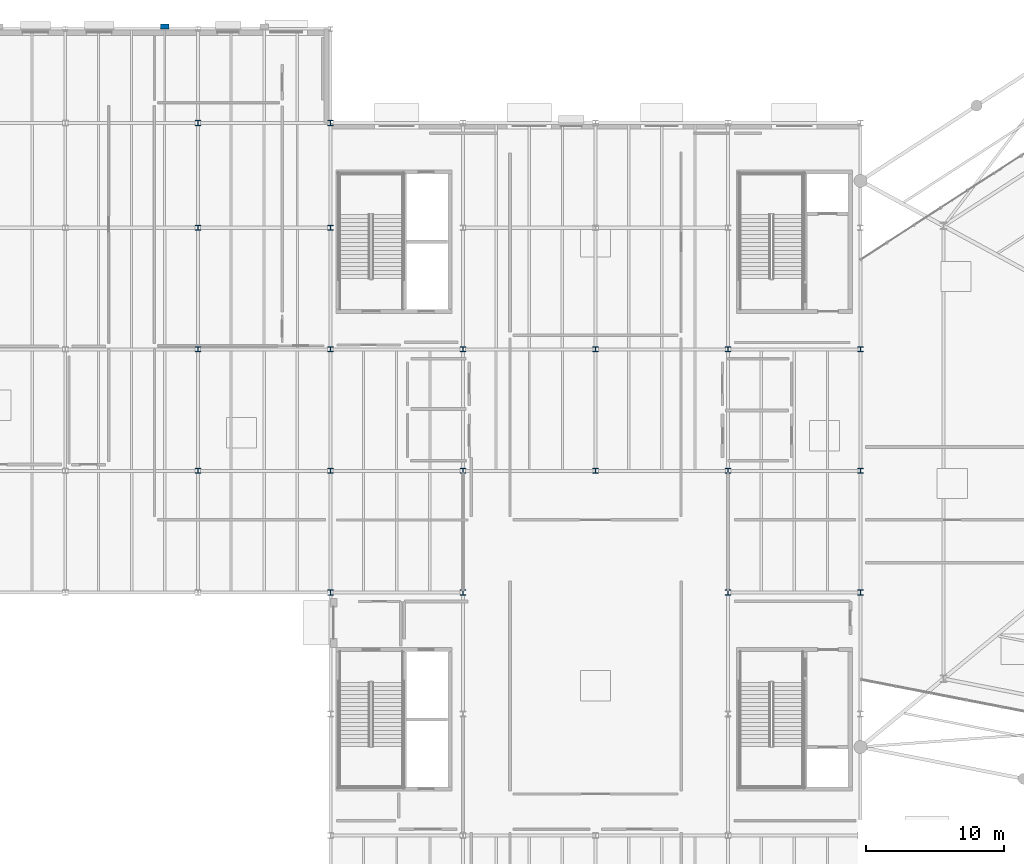
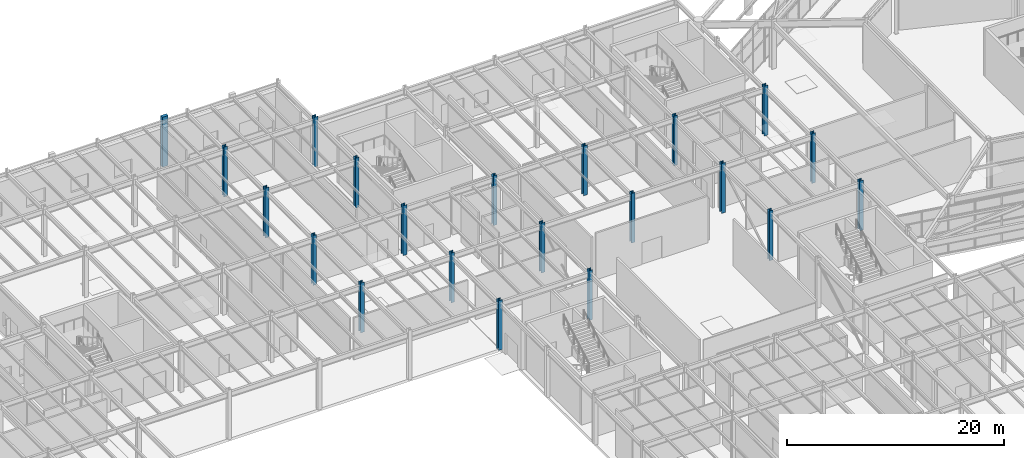
# One storey, part 12 of 70: 21 columns.
"""IFC4 building model written with IfcOpenShell, lengths in metres."""

from ifc_helpers import new_model, si_unit, direction, frame, origin, origin_2d, place, context, subcontext, project, spatial, rectangle, i_section, extrude, material, material_profile, profile_set, type_object, element, save


model = new_model("IFC4")

# Units and contexts
model_context = context("Model", 3, precision=1e-05, world=origin(), true_north=direction((0.0, 1.0)))
body_context = subcontext(model_context, "Body", "Model", "MODEL_VIEW")
ifc_project = project(units=[si_unit("LENGTHUNIT", "METRE"), si_unit("AREAUNIT", "SQUARE_METRE"), si_unit("VOLUMEUNIT", "CUBIC_METRE"), si_unit("PLANEANGLEUNIT", "RADIAN"), si_unit("MASSUNIT", "GRAM", prefix="KILO")], contexts=[model_context])

# Site, building, storey
site_placement = place(None, origin())
site = spatial("IfcSite", under=ifc_project, at=site_placement, CompositionType="ELEMENT")
building_placement = place(site_placement, origin())
building = spatial("IfcBuilding", under=site, at=building_placement, Name="Sarnbrook Museum", CompositionType="ELEMENT")
storey_placement = place(building_placement, origin())
storey = spatial("IfcBuildingStorey", under=building, at=storey_placement, Name="L00", CompositionType="ELEMENT", Elevation=0.0)

# Columns
ifc_material_1 = material(Name="Structural Steel Grade 350L0 (AS/NZS 3678, fy = 340 MPa for 20 < t <= 40 mm)", Category="steel")
ifc_material_profile_1 = material_profile(ifc_material_1, i_section(OverallWidth=0.39990234375, OverallDepth=0.382080078125, WebThickness=0.02490234375, FlangeThickness=0.035888671875, at=origin_2d()), Name="400WC270")
ifc_profile_set_1 = profile_set([ifc_material_profile_1], Name="Structural Steel Grade 350L0 (AS/NZS 3678, fy = 340 MPa for 20 < t <= 40 mm)")
column_type_1 = type_object("IfcColumnType", Name="COL-WC400", PredefinedType="COLUMN", material=ifc_profile_set_1)
for number, where, z_axis, x_axis, name in (
    (1, (90.39990234375, 74.39990234375, 0.0), (0.0, 0.0, 1.0), (1.0, 0.0, 0.0), "Column 10-J L00"),
    (2, (90.39990234375, 83.199951171875, 0.0), (0.0, 0.0, 1.0), (1.0, 0.0, 0.0), "Column 10-K L00"),
    (3, (90.39990234375, 92.0, 0.0), (0.0, 0.0, 1.0), (1.0, 0.0, 0.0), "Column 10-L L00"),
    (4, (100.0, 83.199951171875, 0.0), (0.0, 0.0, 1.0), (1.0, 0.0, 0.0), "Column 11-K L00"),
    (5, (100.0, 92.0, 0.0), (0.0, 0.0, 1.0), (1.0, 0.0, 0.0), "Column 11-L L00"),
    (6, (109.60009765625, 74.39990234375, 0.0), (0.0, 0.0, 1.0), (1.0, 0.0, 0.0), "Column 12-J L00"),
    (7, (109.60009765625, 83.199951171875, 0.0), (0.0, 0.0, 1.0), (1.0, 0.0, 0.0), "Column 12-K L00"),
    (8, (109.60009765625, 92.0, 0.0), (0.0, 0.0, 1.0), (1.0, 0.0, 0.0), "Column 12-L L00"),
    (9, (119.199951171875, 74.39990234375, 0.0), (0.0, 0.0, 1.0), (1.0, 0.0, 0.0), "Column 13-J L00"),
    (10, (119.199951171875, 83.199951171875, 0.0), (0.0, 0.0, 1.0), (1.0, 0.0, 0.0), "Column 13-K L00"),
    (11, (119.199951171875, 92.0, 0.0), (0.0, 0.0, 1.0), (1.0, 0.0, 0.0), "Column 13-L L00"),
    (12, (71.199951171875, 83.199951171875, 0.0), (0.0, 0.0, 1.0), (1.0, 0.0, 0.0), "Column 8-K L00"),
    (13, (71.199951171875, 92.0, 0.0), (0.0, 0.0, 1.0), (1.0, 0.0, 0.0), "Column 8-L L00"),
    (14, (71.199951171875, 100.800048828125, 0.0), (0.0, 0.0, 1.0), (1.0, 0.0, 0.0), "Column 8-M L00"),
    (15, (71.199951171875, 108.39990234375, 0.0), (0.0, 0.0, 1.0), (1.0, 0.0, 0.0), "Column 8-N L00"),
    (16, (80.800048828125, 74.39990234375, 0.0), (0.0, 0.0, 1.0), (1.0, 0.0, 0.0), "Column 9-J L00"),
    (17, (80.800048828125, 83.199951171875, 0.0), (0.0, 0.0, 1.0), (1.0, 0.0, 0.0), "Column 9-K L00"),
    (18, (80.800048828125, 92.0, 0.0), (0.0, 0.0, 1.0), (1.0, 0.0, 0.0), "Column 9-L L00"),
    (19, (80.800048828125, 100.800048828125, 0.0), (0.0, 0.0, 1.0), (1.0, 0.0, 0.0), "Column 9-M L00"),
    (20, (80.800048828125, 108.39990234375, 0.0), (0.0, 0.0, 1.0), (1.0, 0.0, 0.0), "Column 9-N L00"),
):
    element("IfcColumn", number, at=place(storey_placement, frame(where, z_axis=z_axis, x_axis=x_axis)), inside=storey, type_object=column_type_1, Name=name, PredefinedType="COLUMN", context=body_context, shape_type="SweptSolid", body=[
        extrude(i_section(OverallWidth=0.39990234375, OverallDepth=0.382080078125, WebThickness=0.02490234375, FlangeThickness=0.035888671875, at=origin_2d()), origin(), (0.0, 0.0, 1.0), 5.60009765625),
    ])
ifc_material_2 = material(Name="Concrete N40 (AS 3600, f'c = 40 MPa)", Category="concrete")
ifc_material_profile_2 = material_profile(ifc_material_2, rectangle(XDim=0.60009765625, YDim=0.35009765625, at=origin_2d()), Name="PILASTER 600x350")
ifc_profile_set_2 = profile_set([ifc_material_profile_2], Name="Concrete N40 (AS 3600, f'c = 40 MPa)")
column_type_2 = type_object("IfcColumnType", Name="PIL-600x350", PredefinedType="PILASTER", material=ifc_profile_set_2)
column_placement = place(storey_placement, frame((68.800048828125, 115.3798828125, 0.0), z_axis=(0.0, 0.0, 1.0), x_axis=(1.0, 0.0, 0.0)))
element("IfcColumn", 21, at=column_placement, inside=storey, type_object=column_type_2, Name="Sandstone Classical Pilaster P-N2 L00", PredefinedType="PILASTER", context=body_context, shape_type="SweptSolid", body=[
    extrude(rectangle(XDim=0.60009765625, YDim=0.35009765625, at=origin_2d()), origin(), (0.0, 0.0, 1.0), 5.60009765625),
])

save(model, "model.ifc")
